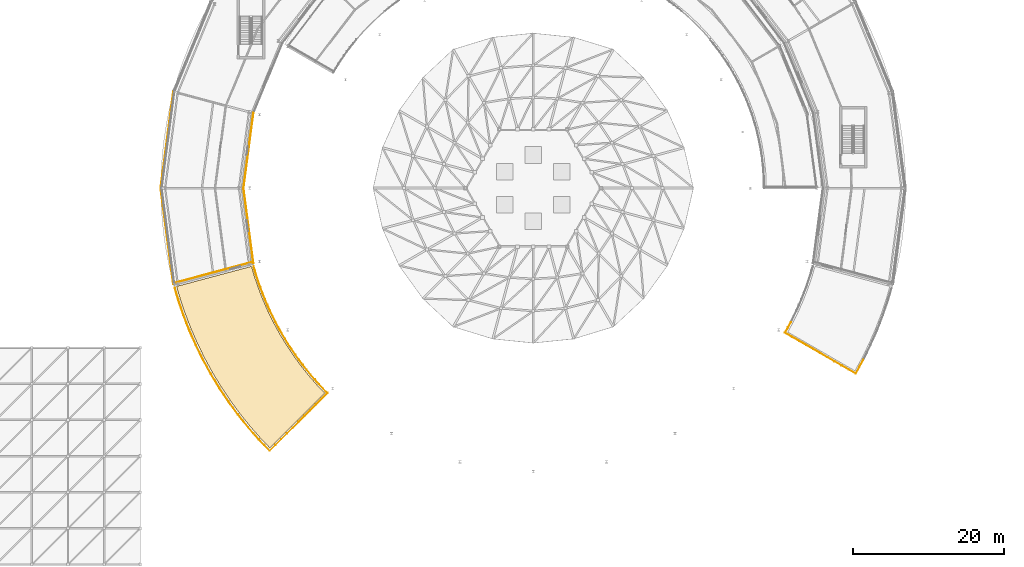
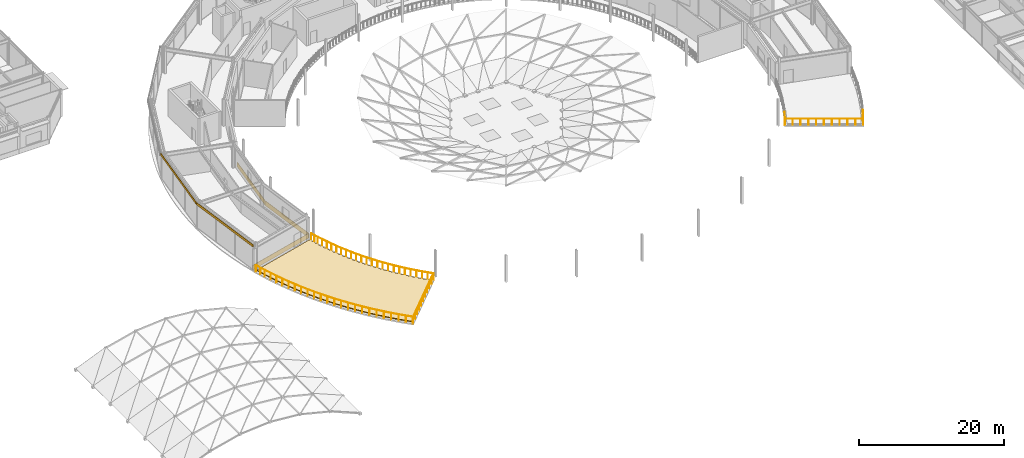
# One storey, part 100 of 116: 28 railings, 6 coverings.
"""IFC4 building model written with IfcOpenShell, lengths in metres."""

import ifcopenshell
import ifcopenshell.guid

model = None  # the IFC model being written
_history = None  # IfcOwnerHistory: only IFC2X3 demands one
_inside = {}  # id of a spatial element -> (the spatial element, [elements in it])
_under = {}  # id of a project, library or spatial element -> (it, [spatial elements below it])
_declared = {}  # id of a project -> (the project, [libraries it declares])
_typed = {}  # id of a type object -> (the type object, [elements of that type])
_made_of = {}  # id of a material, layer set ... -> (it, [elements and type objects made of it])


def new_model(schema):
    """Start an empty IFC model of exactly this schema.

    Asked for "IFC4X3", IfcOpenShell would pick the latest addendum, in which some entities
    have other attributes; the version numbers below select the first issue.
    IFC2X3 requires an IfcOwnerHistory on every rooted entity: one is made here for all.
    """
    global model, _history
    if schema == "IFC4X3":
        model = ifcopenshell.file(schema_version=(4, 3, 0, 0))
    else:
        model = ifcopenshell.file(schema=schema)
    _inside.clear()
    _under.clear()
    _declared.clear()
    _typed.clear()
    _made_of.clear()
    _history = None
    if model.schema == "IFC2X3":
        org = make("IfcOrganization", Name="unknown")
        user = make(
            "IfcPersonAndOrganization",
            ThePerson=make("IfcPerson", FamilyName="unknown"),
            TheOrganization=org,
        )
        app = make(
            "IfcApplication",
            ApplicationDeveloper=org,
            Version="unknown",
            ApplicationFullName="unknown",
            ApplicationIdentifier="unknown",
        )
        _history = make(
            "IfcOwnerHistory",
            OwningUser=user,
            OwningApplication=app,
            ChangeAction="ADDED",
            CreationDate=0,
        )
    return model


def make(cls, **values):
    """One entity of the class cls with the attributes given. An attribute that is None is left unset."""
    return model.create_entity(
        cls, **{name: value for name, value in values.items() if value is not None}
    )


def rooted(cls, **values):
    """An entity with a GlobalId (a new one), such as an element, a storey or a relation."""
    return make(cls, GlobalId=ifcopenshell.guid.new(), OwnerHistory=_history, **values)


def si_unit(unit_type, name, prefix=None):
    """IfcSIUnit, for example si_unit("LENGTHUNIT", "METRE", prefix="MILLI")."""
    return make("IfcSIUnit", UnitType=unit_type, Prefix=prefix, Name=name)


def assignment(units):
    """IfcUnitAssignment: the units of a project."""
    return None if units is None else make("IfcUnitAssignment", Units=units)


def point(xyz):
    """IfcCartesianPoint."""
    return None if xyz is None else make("IfcCartesianPoint", Coordinates=xyz)


def direction(xyz):
    """IfcDirection."""
    return None if xyz is None else make("IfcDirection", DirectionRatios=xyz)


def frame(location, z_axis=None, x_axis=None):
    """IfcAxis2Placement3D, a coordinate frame: its origin and axes. An axis left out is left unset."""
    return make(
        "IfcAxis2Placement3D",
        Location=point(location),
        Axis=direction(z_axis),
        RefDirection=direction(x_axis),
    )


def frame_2d(location, x_axis=None):
    """IfcAxis2Placement2D, a coordinate frame in the plane: its origin and x axis."""
    return make(
        "IfcAxis2Placement2D", Location=point(location), RefDirection=direction(x_axis)
    )


def origin():
    """The frame at (0, 0, 0) with its axes left unset."""
    return frame((0.0, 0.0, 0.0))


def origin_2d():
    """The frame at (0, 0) in the plane with its x axis left unset."""
    return frame_2d((0.0, 0.0))


def place(relative_to, where):
    """IfcLocalPlacement: puts the frame where relative to a parent placement (None: the world)."""
    return make(
        "IfcLocalPlacement", PlacementRelTo=relative_to, RelativePlacement=where
    )


def context(
    kind, dimensions, precision=None, world=None, true_north=None, identifier=None
):
    """IfcGeometricRepresentationContext, for example the 3D "Model" context."""
    return make(
        "IfcGeometricRepresentationContext",
        ContextIdentifier=identifier,
        ContextType=kind,
        CoordinateSpaceDimension=dimensions,
        Precision=precision,
        WorldCoordinateSystem=world,
        TrueNorth=true_north,
    )


def subcontext(parent, identifier, kind, view, scale=None):
    """IfcGeometricRepresentationSubContext, for example "Body" below "Model"."""
    return make(
        "IfcGeometricRepresentationSubContext",
        ContextIdentifier=identifier,
        ContextType=kind,
        ParentContext=parent,
        TargetScale=scale,
        TargetView=view,
    )


def project(units=None, contexts=None):
    """IfcProject with its units and contexts."""
    return rooted(
        "IfcProject",
        Name="project",
        RepresentationContexts=contexts,
        UnitsInContext=assignment(units),
    )


def spatial(cls, under=None, at=None, **own):
    """A site, building, storey or space (cls), placed at a placement, below another one or the project."""
    s = rooted(cls, ObjectPlacement=at, **own)
    if under is not None:
        _under.setdefault(under.id(), (under, []))[1].append(s)
    return s


def polyline(points):
    """IfcPolyline through the points."""
    return make("IfcPolyline", Points=[point(p) for p in points])


def profile(cls, at=None, kind="AREA", **sizes):
    """A parametric profile (cls). Its sizes go by their IFC names, for example OverallWidth=200.0."""
    return make(cls, ProfileType=kind, Position=at, **sizes)


def rectangle(**sizes):
    """IfcRectangleProfileDef."""
    return profile("IfcRectangleProfileDef", **sizes)


def circle(**sizes):
    """IfcCircleProfileDef."""
    return profile("IfcCircleProfileDef", **sizes)


def outline(outer, holes=None, kind="AREA"):
    """IfcArbitraryClosedProfileDef: a profile drawn as a closed curve; with holes, ...WithVoids."""
    if holes is None:
        return make("IfcArbitraryClosedProfileDef", ProfileType=kind, OuterCurve=outer)
    return make(
        "IfcArbitraryProfileDefWithVoids",
        ProfileType=kind,
        OuterCurve=outer,
        InnerCurves=holes,
    )


def extrude(swept, where, along, depth):
    """IfcExtrudedAreaSolid: the profile swept, set in the frame where, extruded along a direction by depth."""
    return make(
        "IfcExtrudedAreaSolid",
        SweptArea=swept,
        Position=where,
        ExtrudedDirection=direction(along),
        Depth=depth,
    )


def shape(context_of_items, identifier, shape_type, items):
    """IfcShapeRepresentation: the items that make up one representation, for example the "Body"."""
    return make(
        "IfcShapeRepresentation",
        ContextOfItems=context_of_items,
        RepresentationIdentifier=identifier,
        RepresentationType=shape_type,
        Items=items,
    )


def material(Name=None, Category=None):
    """IfcMaterial."""
    return make("IfcMaterial", Name=Name, Category=Category)


def layer(
    of_material, thickness, ventilated=None, Name=None, Category=None, Priority=None
):
    """IfcMaterialLayer: one layer of a wall or slab, of a material (None: an air gap)."""
    return make(
        "IfcMaterialLayer",
        Material=of_material,
        LayerThickness=thickness,
        IsVentilated=ventilated,
        Name=Name,
        Category=Category,
        Priority=Priority,
    )


def layer_set(layers, Name=None):
    """IfcMaterialLayerSet."""
    return make("IfcMaterialLayerSet", MaterialLayers=layers, LayerSetName=Name)


def made_of(thing, what):
    """Note that an element or type object is made of a material, layer set ...; save() writes the relation."""
    if what is not None:
        _made_of.setdefault(what.id(), (what, []))[1].append(thing)
    return thing


def type_object(cls, material=None, **own):
    """A type object (cls), such as IfcWallType, which elements share."""
    return made_of(rooted(cls, **own), material)


def element(
    cls,
    number,
    at=None,
    inside=None,
    cuts=None,
    type_object=None,
    material=None,
    context=None,
    identifier="Body",
    shape_type=None,
    held_by="IfcProductDefinitionShape",
    body=None,
    shapes=None,
    **own,
):
    """One element of the class cls, such as IfcWall. Its Tag is "e" and its number.

    at: its placement. inside: the storey or other place that contains it. cuts: it is an
    opening in that element (IfcRelVoidsElement). A single representation is given by context,
    identifier, shape_type and body (its items); several are given by shapes. held_by: the class
    of the entity that holds the representations. save() writes the other relations.
    """
    e = rooted(cls, Tag="e%d" % number, ObjectPlacement=at, **own)
    if body is not None:
        shapes = [shape(context, identifier, shape_type, body)]
    if shapes is not None:
        e.Representation = make(held_by, Representations=shapes)
    if inside is not None:
        _inside.setdefault(inside.id(), (inside, []))[1].append(e)
    if cuts is not None:
        rooted(
            "IfcRelVoidsElement", RelatingBuildingElement=cuts, RelatedOpeningElement=e
        )
    if type_object is not None:
        _typed.setdefault(type_object.id(), (type_object, []))[1].append(e)
    return made_of(e, material)


def aggregate(whole, parts):
    """IfcRelAggregates: a whole, such as a stair, and the parts it consists of."""
    return rooted("IfcRelAggregates", RelatingObject=whole, RelatedObjects=parts)


def save(model, path):
    """Write the relations noted so far, then the file.

    IfcRelAggregates (storeys below a building ...), IfcRelContainedInSpatialStructure (elements
    in a storey), IfcRelDefinesByType, IfcRelAssociatesMaterial and IfcRelDeclares: one each for
    every whole, place, type object, material and project.
    """
    for whole, parts in _under.values():
        aggregate(whole, parts)
    for where, things in _inside.values():
        rooted(
            "IfcRelContainedInSpatialStructure",
            RelatedElements=things,
            RelatingStructure=where,
        )
    for kind, things in _typed.values():
        rooted("IfcRelDefinesByType", RelatedObjects=things, RelatingType=kind)
    for what, things in _made_of.values():
        rooted("IfcRelAssociatesMaterial", RelatedObjects=things, RelatingMaterial=what)
    for by, libraries in _declared.values():
        rooted("IfcRelDeclares", RelatingContext=by, RelatedDefinitions=libraries)
    model.write(path)


model = new_model("IFC4")

# Units and contexts
model_context = context("Model", 3, precision=1e-05, world=origin(), true_north=direction((0.0, 1.0)))
body_context = subcontext(model_context, "Body", "Model", "MODEL_VIEW")
ifc_project = project(units=[si_unit("LENGTHUNIT", "METRE"), si_unit("AREAUNIT", "SQUARE_METRE"), si_unit("VOLUMEUNIT", "CUBIC_METRE"), si_unit("PLANEANGLEUNIT", "RADIAN"), si_unit("MASSUNIT", "GRAM", prefix="KILO")], contexts=[model_context])

# Site, building, storey
site_placement = place(None, origin())
site = spatial("IfcSite", under=ifc_project, at=site_placement, CompositionType="ELEMENT")
building_placement = place(site_placement, origin())
building = spatial("IfcBuilding", under=site, at=building_placement, Name="Almandine Court Research Institute", CompositionType="ELEMENT")
storey_placement = place(building_placement, frame((0.0, 0.0, 14.35009765625)))
storey = spatial("IfcBuildingStorey", under=building, at=storey_placement, Name="L03", CompositionType="ELEMENT", Elevation=14.35009765625)

# Coverings
ifc_material_1 = material(Name="Extruded Cream-Ochre Seismic Terracotta Spandrel", Category="masonry")
ifc_layer_1 = layer(ifc_material_1, 0.054931640625)
ifc_layer_set_1 = layer_set([ifc_layer_1], Name="Extruded Cream-Ochre Seismic Terracotta Spandrel")
covering_type_1 = type_object("IfcCoveringType", Name="Cov-CLAD-TERR", PredefinedType="CLADDING", material=ifc_layer_set_1)
covering_1_placement = place(storey_placement, frame((38.361083984375, 62.404052734375, 3.97998046875), z_axis=(0.0, 0.0, 1.0), x_axis=(0.13052619222, 0.991444861374, 0.0)))
element("IfcCovering", 1, at=covering_1_placement, inside=storey, type_object=covering_type_1, Name="L03 Drum Stacked Terracotta Ring Band 11", PredefinedType="CLADDING", context=body_context, shape_type="SweptSolid", body=[
    extrude(rectangle(XDim=12.8779296875, YDim=0.054931640625, at=origin_2d()), origin(), (0.0, 0.0, 1.0), 0.419921875),
])
covering_2_placement = place(storey_placement, frame((49.16796875, 60.98095703125, 0.02001953125), z_axis=(0.0, 0.0, 1.0), x_axis=(-0.13052619222, -0.991444861374, 0.0)))
element("IfcCovering", 2, at=covering_2_placement, inside=storey, type_object=covering_type_1, Name="L03 Facade Spandrel Cladding Band 397", PredefinedType="CLADDING", context=body_context, shape_type="SweptSolid", body=[
    extrude(rectangle(XDim=10.080078125, YDim=0.054931640625, at=origin_2d()), origin(), (0.0, 0.0, 1.0), 0.800048828125),
])
covering_3_placement = place(storey_placement, frame((38.361083984375, 49.595947265625, 3.97998046875), z_axis=(0.0, 0.0, 1.0), x_axis=(-0.13052619222, 0.991444861374, 0.0)))
element("IfcCovering", 3, at=covering_3_placement, inside=storey, type_object=covering_type_1, Name="L03 Drum Stacked Terracotta Ring Band 12", PredefinedType="CLADDING", context=body_context, shape_type="SweptSolid", body=[
    extrude(rectangle(XDim=12.8779296875, YDim=0.054931640625, at=origin_2d()), origin(), (0.0, 0.0, 1.0), 0.419921875),
])
covering_4_placement = place(storey_placement, frame((49.16796875, 51.01904296875, 0.02001953125), z_axis=(0.0, 0.0, 1.0), x_axis=(0.13052619222, -0.991444861374, 0.0)))
element("IfcCovering", 4, at=covering_4_placement, inside=storey, type_object=covering_type_1, Name="L03 Facade Spandrel Cladding Band 399", PredefinedType="CLADDING", context=body_context, shape_type="SweptSolid", body=[
    extrude(rectangle(XDim=10.080078125, YDim=0.054931640625, at=origin_2d()), origin(), (0.0, 0.0, 1.0), 0.800048828125),
])
covering_5_placement = place(storey_placement, frame((44.455078125, 44.777099609375, 0.02001953125), z_axis=(0.0, 0.0, 1.0), x_axis=(0.965925826289, 0.258819045103, 0.0)))
element("IfcCovering", 5, at=covering_5_placement, inside=storey, type_object=covering_type_1, Name="L03 Facade Spandrel Cladding Band 401", PredefinedType="CLADDING", context=body_context, shape_type="SweptSolid", body=[
    extrude(rectangle(XDim=10.951904296875, YDim=0.054931640625, at=origin_2d()), origin(), (0.0, 0.0, 1.0), 0.800048828125),
])
ifc_material_2 = material(Name="Extensive Andean Sedum Planted Green Roof Build-Up")
ifc_layer_2 = layer(ifc_material_2, 0.139892578125)
ifc_layer_set_2 = layer_set([ifc_layer_2], Name="Extensive Andean Sedum Planted Green Roof Build-Up")
covering_type_2 = type_object("IfcCoveringType", Name="Cov-ROOF-GREEN", PredefinedType="ROOFING", material=ifc_layer_set_2)
covering_6_placement = place(storey_placement, origin())
element("IfcCovering", 6, at=covering_6_placement, inside=storey, type_object=covering_type_2, Name="L03 Planted Green Roof Covering 15", PredefinedType="ROOFING", context=body_context, shape_type="SweptSolid", body=[
    extrude(outline(polyline([(39.623046875, 42.943115234375), (49.572021484375, 45.60791015625), (49.947998046875, 44.318115234375), (50.492919921875, 42.7119140625), (51.10791015625, 41.133056640625), (51.7900390625, 39.5810546875), (52.5390625, 38.06103515625), (53.35498046875, 36.574951171875), (54.23388671875, 35.1259765625), (55.176025390625, 33.716064453125), (56.177978515625, 32.35009765625), (57.239013671875, 31.028076171875), (58.35693359375, 29.75390625), (59.285888671875, 28.781005859375), (52.0029296875, 21.498046875), (50.762939453125, 22.7939453125), (49.34912109375, 24.406982421875), (48.007080078125, 26.0791015625), (46.739013671875, 27.80908203125), (45.547119140625, 29.592041015625), (44.43505859375, 31.425048828125), (43.404052734375, 33.304931640625), (42.455078125, 35.22802734375), (41.591064453125, 37.19091796875), (40.81396484375, 39.18994140625), (40.125, 41.219970703125), (39.623046875, 42.943115234375)])), origin(), (0.0, 0.0, 1.0), 0.139892578125),
])

# Railings
ifc_material_3 = material(Name="Architectural Powder-Coated Aluminium Balustrade", Category="aluminium")
railing_type = type_object("IfcRailingType", Name="Rail-BAL-EXT", PredefinedType="BALUSTRADE", material=ifc_material_3)
railing_1_placement = place(storey_placement, frame((129.8369140625, 31.360107421875, 0.0)))
element("IfcRailing", 7, at=railing_1_placement, inside=storey, type_object=railing_type, Name="L03 Terrace Perimeter Balustrade 076", PredefinedType="BALUSTRADE", context=body_context, shape_type="SweptSolid", body=[
    extrude(circle(Radius=0.02392578125, at=origin_2d()), frame((0.0, 0.0, 1.1259765625), z_axis=(-0.866011168903, 0.500024654728, 0.0), x_axis=(-0.500024654728, -0.866011168903, 0.0)), (0.0, 0.0, 1.0), 10.83935546875),
    extrude(circle(Radius=0.02099609375, at=origin_2d()), origin(), (0.0, 0.0, 1.0), 1.101806640625),
    extrude(circle(Radius=0.02099609375, at=origin_2d()), frame((-0.938720703125, 0.5419921875, 0.0)), (0.0, 0.0, 1.0), 1.101806640625),
    extrude(circle(Radius=0.02099609375, at=origin_2d()), frame((-1.87744140625, 1.083984375, 0.0)), (0.0, 0.0, 1.0), 1.101806640625),
    extrude(circle(Radius=0.02099609375, at=origin_2d()), frame((-2.816162109375, 1.6259765625, 0.0)), (0.0, 0.0, 1.0), 1.101806640625),
    extrude(circle(Radius=0.02099609375, at=origin_2d()), frame((-3.7548828125, 2.16796875, 0.0)), (0.0, 0.0, 1.0), 1.101806640625),
    extrude(circle(Radius=0.02099609375, at=origin_2d()), frame((-4.693359375, 2.7099609375, 0.0)), (0.0, 0.0, 1.0), 1.101806640625),
    extrude(circle(Radius=0.02099609375, at=origin_2d()), frame((-5.632080078125, 3.251953125, 0.0)), (0.0, 0.0, 1.0), 1.101806640625),
    extrude(circle(Radius=0.02099609375, at=origin_2d()), frame((-6.57080078125, 3.7939453125, 0.0)), (0.0, 0.0, 1.0), 1.101806640625),
    extrude(circle(Radius=0.02099609375, at=origin_2d()), frame((-7.509521484375, 4.3359375, 0.0)), (0.0, 0.0, 1.0), 1.101806640625),
    extrude(circle(Radius=0.02099609375, at=origin_2d()), frame((-8.4482421875, 4.8779296875, 0.0)), (0.0, 0.0, 1.0), 1.101806640625),
    extrude(circle(Radius=0.02099609375, at=origin_2d()), frame((-9.386962890625, 5.419921875, 0.0)), (0.0, 0.0, 1.0), 1.101806640625),
])
railing_2_placement = place(storey_placement, frame((120.449951171875, 36.780029296875, 0.0)))
element("IfcRailing", 8, at=railing_2_placement, inside=storey, type_object=railing_type, Name="L03 Terrace Perimeter Balustrade 077", PredefinedType="BALUSTRADE", context=body_context, shape_type="SweptSolid", body=[
    extrude(circle(Radius=0.02392578125, at=origin_2d()), frame((0.0, 0.0, 1.1259765625), z_axis=(0.480813731772, 0.876822761645, 0.0), x_axis=(-0.876822761645, 0.480813731772, 0.0)), (0.0, 0.0, 1.0), 1.603515625),
    extrude(circle(Radius=0.02099609375, at=origin_2d()), origin(), (0.0, 0.0, 1.0), 1.101806640625),
    extrude(circle(Radius=0.02099609375, at=origin_2d()), frame((0.385498046875, 0.703125, 0.0)), (0.0, 0.0, 1.0), 1.101806640625),
    extrude(circle(Radius=0.02099609375, at=origin_2d()), frame((0.77099609375, 1.406005859375, 0.0)), (0.0, 0.0, 1.0), 1.101806640625),
])
railing_3_placement = place(storey_placement, frame((130.8359375, 33.179931640625, 0.0)))
element("IfcRailing", 9, at=railing_3_placement, inside=storey, type_object=railing_type, Name="L03 Terrace Perimeter Balustrade 088", PredefinedType="BALUSTRADE", context=body_context, shape_type="SweptSolid", body=[
    extrude(circle(Radius=0.02392578125, at=origin_2d()), frame((0.0, 0.0, 1.1259765625), z_axis=(-0.481223375155, -0.876598005476, 0.0), x_axis=(0.876598005476, -0.481223375155, 0.0)), (0.0, 0.0, 1.0), 2.075927734375),
    extrude(circle(Radius=0.02099609375, at=origin_2d()), origin(), (0.0, 0.0, 1.0), 1.101806640625),
    extrude(circle(Radius=0.02099609375, at=origin_2d()), frame((-0.49951171875, -0.909912109375, 0.0)), (0.0, 0.0, 1.0), 1.101806640625),
    extrude(circle(Radius=0.02099609375, at=origin_2d()), frame((-0.9990234375, -1.81982421875, 0.0)), (0.0, 0.0, 1.0), 1.101806640625),
])
railing_4_placement = place(storey_placement, frame((49.861083984375, 45.58203125, 0.0)))
element("IfcRailing", 10, at=railing_4_placement, inside=storey, type_object=railing_type, Name="L03 Terrace Perimeter Balustrade 089", PredefinedType="BALUSTRADE", context=body_context, shape_type="SweptSolid", body=[
    extrude(circle(Radius=0.02392578125, at=origin_2d()), frame((0.0, 0.0, 1.1259765625), z_axis=(0.279923926377, -0.96002218487, 0.0), x_axis=(0.96002218487, 0.279923926377, 0.0)), (0.0, 0.0, 1.0), 1.232421875),
    extrude(circle(Radius=0.02099609375, at=origin_2d()), origin(), (0.0, 0.0, 1.0), 1.101806640625),
    extrude(circle(Radius=0.02099609375, at=origin_2d()), frame((0.17236328125, -0.591552734375, 0.0)), (0.0, 0.0, 1.0), 1.101806640625),
    extrude(circle(Radius=0.02099609375, at=origin_2d()), frame((0.344970703125, -1.18310546875, 0.0)), (0.0, 0.0, 1.0), 1.101806640625),
])
railing_5_placement = place(storey_placement, frame((50.2060546875, 44.39892578125, 0.0)))
element("IfcRailing", 11, at=railing_5_placement, inside=storey, type_object=railing_type, Name="L03 Terrace Perimeter Balustrade 090", PredefinedType="BALUSTRADE", context=body_context, shape_type="SweptSolid", body=[
    extrude(circle(Radius=0.02392578125, at=origin_2d()), frame((0.0, 0.0, 1.1259765625), z_axis=(0.32140085865, -0.94694323381, 0.0), x_axis=(0.94694323381, 0.32140085865, 0.0)), (0.0, 0.0, 1.0), 1.683349609375),
    extrude(circle(Radius=0.02099609375, at=origin_2d()), origin(), (0.0, 0.0, 1.0), 1.101806640625),
    extrude(circle(Radius=0.02099609375, at=origin_2d()), frame((0.2705078125, -0.796875, 0.0)), (0.0, 0.0, 1.0), 1.101806640625),
    extrude(circle(Radius=0.02099609375, at=origin_2d()), frame((0.541015625, -1.593994140625, 0.0)), (0.0, 0.0, 1.0), 1.101806640625),
])
railing_6_placement = place(storey_placement, frame((50.7470703125, 42.804931640625, 0.0)))
element("IfcRailing", 12, at=railing_6_placement, inside=storey, type_object=railing_type, Name="L03 Terrace Perimeter Balustrade 091", PredefinedType="BALUSTRADE", context=body_context, shape_type="SweptSolid", body=[
    extrude(circle(Radius=0.02392578125, at=origin_2d()), frame((0.0, 0.0, 1.1259765625), z_axis=(0.362320267757, -0.93205365917, 0.0), x_axis=(0.93205365917, 0.362320267757, 0.0)), (0.0, 0.0, 1.0), 1.68310546875),
    extrude(circle(Radius=0.02099609375, at=origin_2d()), origin(), (0.0, 0.0, 1.0), 1.101806640625),
    extrude(circle(Radius=0.02099609375, at=origin_2d()), frame((0.304931640625, -0.784423828125, 0.0)), (0.0, 0.0, 1.0), 1.101806640625),
    extrude(circle(Radius=0.02099609375, at=origin_2d()), frame((0.60986328125, -1.56884765625, 0.0)), (0.0, 0.0, 1.0), 1.101806640625),
])
railing_7_placement = place(storey_placement, frame((51.35693359375, 41.236083984375, 0.0)))
element("IfcRailing", 13, at=railing_7_placement, inside=storey, type_object=railing_type, Name="L03 Terrace Perimeter Balustrade 092", PredefinedType="BALUSTRADE", context=body_context, shape_type="SweptSolid", body=[
    extrude(circle(Radius=0.02392578125, at=origin_2d()), frame((0.0, 0.0, 1.1259765625), z_axis=(0.402218437019, -0.91554373403, 0.0), x_axis=(0.91554373403, 0.402218437019, 0.0)), (0.0, 0.0, 1.0), 1.68310546875),
    extrude(circle(Radius=0.02099609375, at=origin_2d()), origin(), (0.0, 0.0, 1.0), 1.101806640625),
    extrude(circle(Radius=0.02099609375, at=origin_2d()), frame((0.33837890625, -0.7705078125, 0.0)), (0.0, 0.0, 1.0), 1.101806640625),
    extrude(circle(Radius=0.02099609375, at=origin_2d()), frame((0.677001953125, -1.541015625, 0.0)), (0.0, 0.0, 1.0), 1.101806640625),
])
railing_8_placement = place(storey_placement, frame((52.033935546875, 39.695068359375, 0.0)))
element("IfcRailing", 14, at=railing_8_placement, inside=storey, type_object=railing_type, Name="L03 Terrace Perimeter Balustrade 093", PredefinedType="BALUSTRADE", context=body_context, shape_type="SweptSolid", body=[
    extrude(circle(Radius=0.02392578125, at=origin_2d()), frame((0.0, 0.0, 1.1259765625), z_axis=(0.442739997264, -0.89665004033, 0.0), x_axis=(0.89665004033, 0.442739997264, 0.0)), (0.0, 0.0, 1.0), 1.682861328125),
    extrude(circle(Radius=0.02099609375, at=origin_2d()), origin(), (0.0, 0.0, 1.0), 1.101806640625),
    extrude(circle(Radius=0.02099609375, at=origin_2d()), frame((0.37255859375, -0.75439453125, 0.0)), (0.0, 0.0, 1.0), 1.101806640625),
    extrude(circle(Radius=0.02099609375, at=origin_2d()), frame((0.7451171875, -1.509033203125, 0.0)), (0.0, 0.0, 1.0), 1.101806640625),
])
railing_9_placement = place(storey_placement, frame((52.779052734375, 38.18603515625, 0.0)))
element("IfcRailing", 15, at=railing_9_placement, inside=storey, type_object=railing_type, Name="L03 Terrace Perimeter Balustrade 094", PredefinedType="BALUSTRADE", context=body_context, shape_type="SweptSolid", body=[
    extrude(circle(Radius=0.02392578125, at=origin_2d()), frame((0.0, 0.0, 1.1259765625), z_axis=(0.481105881511, -0.876662495363, 0.0), x_axis=(0.876662495363, 0.481105881511, 0.0)), (0.0, 0.0, 1.0), 1.683837890625),
    extrude(circle(Radius=0.02099609375, at=origin_2d()), origin(), (0.0, 0.0, 1.0), 1.101806640625),
    extrude(circle(Radius=0.02099609375, at=origin_2d()), frame((0.405029296875, -0.738037109375, 0.0)), (0.0, 0.0, 1.0), 1.101806640625),
    extrude(circle(Radius=0.02099609375, at=origin_2d()), frame((0.81005859375, -1.47607421875, 0.0)), (0.0, 0.0, 1.0), 1.101806640625),
])
railing_10_placement = place(storey_placement, frame((53.589111328125, 36.7099609375, 0.0)))
element("IfcRailing", 16, at=railing_10_placement, inside=storey, type_object=railing_type, Name="L03 Terrace Perimeter Balustrade 095", PredefinedType="BALUSTRADE", context=body_context, shape_type="SweptSolid", body=[
    extrude(circle(Radius=0.02392578125, at=origin_2d()), frame((0.0, 0.0, 1.1259765625), z_axis=(0.51860710852, -0.855012670662, 0.0), x_axis=(0.855012670662, 0.51860710852, 0.0)), (0.0, 0.0, 1.0), 1.682861328125),
    extrude(circle(Radius=0.02099609375, at=origin_2d()), origin(), (0.0, 0.0, 1.0), 1.101806640625),
    extrude(circle(Radius=0.02099609375, at=origin_2d()), frame((0.4365234375, -0.719482421875, 0.0)), (0.0, 0.0, 1.0), 1.101806640625),
    extrude(circle(Radius=0.02099609375, at=origin_2d()), frame((0.872802734375, -1.43896484375, 0.0)), (0.0, 0.0, 1.0), 1.101806640625),
])
railing_11_placement = place(storey_placement, frame((54.4619140625, 35.27099609375, 0.0)))
element("IfcRailing", 17, at=railing_11_placement, inside=storey, type_object=railing_type, Name="L03 Terrace Perimeter Balustrade 096", PredefinedType="BALUSTRADE", context=body_context, shape_type="SweptSolid", body=[
    extrude(circle(Radius=0.02392578125, at=origin_2d()), frame((0.0, 0.0, 1.1259765625), z_axis=(0.555436247227, -0.831559123133, 0.0), x_axis=(0.831559123133, 0.555436247227, 0.0)), (0.0, 0.0, 1.0), 1.683349609375),
    extrude(circle(Radius=0.02099609375, at=origin_2d()), origin(), (0.0, 0.0, 1.0), 1.101806640625),
    extrude(circle(Radius=0.02099609375, at=origin_2d()), frame((0.467529296875, -0.699951171875, 0.0)), (0.0, 0.0, 1.0), 1.101806640625),
    extrude(circle(Radius=0.02099609375, at=origin_2d()), frame((0.93505859375, -1.39990234375, 0.0)), (0.0, 0.0, 1.0), 1.101806640625),
])
railing_12_placement = place(storey_placement, frame((55.39697265625, 33.87109375, 0.0)))
element("IfcRailing", 18, at=railing_12_placement, inside=storey, type_object=railing_type, Name="L03 Terrace Perimeter Balustrade 097", PredefinedType="BALUSTRADE", context=body_context, shape_type="SweptSolid", body=[
    extrude(circle(Radius=0.02392578125, at=origin_2d()), frame((0.0, 0.0, 1.1259765625), z_axis=(0.591684255025, -0.806169797472, 0.0), x_axis=(0.806169797472, 0.591684255025, 0.0)), (0.0, 0.0, 1.0), 1.68359375),
    extrude(circle(Radius=0.02099609375, at=origin_2d()), origin(), (0.0, 0.0, 1.0), 1.101806640625),
    extrude(circle(Radius=0.02099609375, at=origin_2d()), frame((0.498046875, -0.6787109375, 0.0)), (0.0, 0.0, 1.0), 1.101806640625),
    extrude(circle(Radius=0.02099609375, at=origin_2d()), frame((0.99609375, -1.357177734375, 0.0)), (0.0, 0.0, 1.0), 1.101806640625),
])
railing_13_placement = place(storey_placement, frame((56.39306640625, 32.513916015625, 0.0)))
element("IfcRailing", 19, at=railing_13_placement, inside=storey, type_object=railing_type, Name="L03 Terrace Perimeter Balustrade 098", PredefinedType="BALUSTRADE", context=body_context, shape_type="SweptSolid", body=[
    extrude(circle(Radius=0.02392578125, at=origin_2d()), frame((0.0, 0.0, 1.1259765625), z_axis=(0.625915440512, -0.779890929123, 0.0), x_axis=(0.779890929123, 0.625915440512, 0.0)), (0.0, 0.0, 1.0), 1.682373046875),
    extrude(circle(Radius=0.02099609375, at=origin_2d()), origin(), (0.0, 0.0, 1.0), 1.101806640625),
    extrude(circle(Radius=0.02099609375, at=origin_2d()), frame((0.5263671875, -0.656005859375, 0.0)), (0.0, 0.0, 1.0), 1.101806640625),
    extrude(circle(Radius=0.02099609375, at=origin_2d()), frame((1.052978515625, -1.31201171875, 0.0)), (0.0, 0.0, 1.0), 1.101806640625),
])
railing_14_placement = place(storey_placement, frame((57.446044921875, 31.201904296875, 0.0)))
element("IfcRailing", 20, at=railing_14_placement, inside=storey, type_object=railing_type, Name="L03 Terrace Perimeter Balustrade 099", PredefinedType="BALUSTRADE", context=body_context, shape_type="SweptSolid", body=[
    extrude(circle(Radius=0.02392578125, at=origin_2d()), frame((0.0, 0.0, 1.1259765625), z_axis=(0.659253757074, -0.751920530231, 0.0), x_axis=(0.751920530231, 0.659253757074, 0.0)), (0.0, 0.0, 1.0), 1.68359375),
    extrude(circle(Radius=0.02099609375, at=origin_2d()), origin(), (0.0, 0.0, 1.0), 1.101806640625),
    extrude(circle(Radius=0.02099609375, at=origin_2d()), frame((0.554931640625, -0.6328125, 0.0)), (0.0, 0.0, 1.0), 1.101806640625),
    extrude(circle(Radius=0.02099609375, at=origin_2d()), frame((1.10986328125, -1.265869140625, 0.0)), (0.0, 0.0, 1.0), 1.101806640625),
])
railing_15_placement = place(storey_placement, frame((58.555908203125, 29.93603515625, 0.0)))
element("IfcRailing", 21, at=railing_15_placement, inside=storey, type_object=railing_type, Name="L03 Terrace Perimeter Balustrade 100", PredefinedType="BALUSTRADE", context=body_context, shape_type="SweptSolid", body=[
    extrude(circle(Radius=0.02392578125, at=origin_2d()), frame((0.0, 0.0, 1.1259765625), z_axis=(0.691094727198, -0.722764192555, 0.0), x_axis=(0.722764192555, 0.691094727198, 0.0)), (0.0, 0.0, 1.0), 1.603515625),
    extrude(circle(Radius=0.02099609375, at=origin_2d()), origin(), (0.0, 0.0, 1.0), 1.101806640625),
    extrude(circle(Radius=0.02099609375, at=origin_2d()), frame((0.55419921875, -0.57958984375, 0.0)), (0.0, 0.0, 1.0), 1.101806640625),
    extrude(circle(Radius=0.02099609375, at=origin_2d()), frame((1.108154296875, -1.158935546875, 0.0)), (0.0, 0.0, 1.0), 1.101806640625),
])
railing_16_placement = place(storey_placement, frame((59.6640625, 28.777099609375, 0.0)))
element("IfcRailing", 22, at=railing_16_placement, inside=storey, type_object=railing_type, Name="L03 Terrace Perimeter Balustrade 101", PredefinedType="BALUSTRADE", context=body_context, shape_type="SweptSolid", body=[
    extrude(circle(Radius=0.02392578125, at=origin_2d()), frame((0.0, 0.0, 1.1259765625), z_axis=(-0.707106781187, -0.707106781187, 0.0), x_axis=(0.707106781187, -0.707106781187, 0.0)), (0.0, 0.0, 1.0), 10.840087890625),
    extrude(circle(Radius=0.02099609375, at=origin_2d()), origin(), (0.0, 0.0, 1.0), 1.101806640625),
    extrude(circle(Radius=0.02099609375, at=origin_2d()), frame((-0.7666015625, -0.7666015625, 0.0)), (0.0, 0.0, 1.0), 1.101806640625),
    extrude(circle(Radius=0.02099609375, at=origin_2d()), frame((-1.532958984375, -1.532958984375, 0.0)), (0.0, 0.0, 1.0), 1.101806640625),
    extrude(circle(Radius=0.02099609375, at=origin_2d()), frame((-2.299560546875, -2.299560546875, 0.0)), (0.0, 0.0, 1.0), 1.101806640625),
    extrude(circle(Radius=0.02099609375, at=origin_2d()), frame((-3.06591796875, -3.06591796875, 0.0)), (0.0, 0.0, 1.0), 1.101806640625),
    extrude(circle(Radius=0.02099609375, at=origin_2d()), frame((-3.83251953125, -3.83251953125, 0.0)), (0.0, 0.0, 1.0), 1.101806640625),
    extrude(circle(Radius=0.02099609375, at=origin_2d()), frame((-4.59912109375, -4.59912109375, 0.0)), (0.0, 0.0, 1.0), 1.101806640625),
    extrude(circle(Radius=0.02099609375, at=origin_2d()), frame((-5.365478515625, -5.365478515625, 0.0)), (0.0, 0.0, 1.0), 1.101806640625),
    extrude(circle(Radius=0.02099609375, at=origin_2d()), frame((-6.132080078125, -6.132080078125, 0.0)), (0.0, 0.0, 1.0), 1.101806640625),
    extrude(circle(Radius=0.02099609375, at=origin_2d()), frame((-6.8984375, -6.8984375, 0.0)), (0.0, 0.0, 1.0), 1.101806640625),
    extrude(circle(Radius=0.02099609375, at=origin_2d()), frame((-7.6650390625, -7.6650390625, 0.0)), (0.0, 0.0, 1.0), 1.101806640625),
])
railing_17_placement = place(storey_placement, frame((51.9990234375, 21.112060546875, 0.0)))
element("IfcRailing", 23, at=railing_17_placement, inside=storey, type_object=railing_type, Name="L03 Terrace Perimeter Balustrade 102", PredefinedType="BALUSTRADE", context=body_context, shape_type="SweptSolid", body=[
    extrude(circle(Radius=0.02392578125, at=origin_2d()), frame((0.0, 0.0, 1.1259765625), z_axis=(-0.691292069031, 0.722575446092, 0.0), x_axis=(-0.722575446092, -0.691292069031, 0.0)), (0.0, 0.0, 1.0), 2.075927734375),
    extrude(circle(Radius=0.02099609375, at=origin_2d()), origin(), (0.0, 0.0, 1.0), 1.101806640625),
    extrude(circle(Radius=0.02099609375, at=origin_2d()), frame((-0.717529296875, 0.75, 0.0)), (0.0, 0.0, 1.0), 1.101806640625),
    extrude(circle(Radius=0.02099609375, at=origin_2d()), frame((-1.43505859375, 1.5, 0.0)), (0.0, 0.0, 1.0), 1.101806640625),
])
railing_18_placement = place(storey_placement, frame((50.56396484375, 22.612060546875, 0.0)))
element("IfcRailing", 24, at=railing_18_placement, inside=storey, type_object=railing_type, Name="L03 Terrace Perimeter Balustrade 103", PredefinedType="BALUSTRADE", context=body_context, shape_type="SweptSolid", body=[
    extrude(circle(Radius=0.02392578125, at=origin_2d()), frame((0.0, 0.0, 1.1259765625), z_axis=(-0.659458025954, 0.751741386385, 0.0), x_axis=(-0.751741386385, -0.659458025954, 0.0)), (0.0, 0.0, 1.0), 2.156005859375),
    extrude(circle(Radius=0.02099609375, at=origin_2d()), origin(), (0.0, 0.0, 1.0), 1.101806640625),
    extrude(circle(Radius=0.02099609375, at=origin_2d()), frame((-0.7109375, 0.810546875, 0.0)), (0.0, 0.0, 1.0), 1.101806640625),
    extrude(circle(Radius=0.02099609375, at=origin_2d()), frame((-1.421875, 1.620849609375, 0.0)), (0.0, 0.0, 1.0), 1.101806640625),
])
railing_19_placement = place(storey_placement, frame((49.14208984375, 24.23291015625, 0.0)))
element("IfcRailing", 25, at=railing_19_placement, inside=storey, type_object=railing_type, Name="L03 Terrace Perimeter Balustrade 104", PredefinedType="BALUSTRADE", context=body_context, shape_type="SweptSolid", body=[
    extrude(circle(Radius=0.02392578125, at=origin_2d()), frame((0.0, 0.0, 1.1259765625), z_axis=(-0.625936578054, 0.779873964339, 0.0), x_axis=(-0.779873964339, -0.625936578054, 0.0)), (0.0, 0.0, 1.0), 2.156982421875),
    extrude(circle(Radius=0.02099609375, at=origin_2d()), origin(), (0.0, 0.0, 1.0), 1.101806640625),
    extrude(circle(Radius=0.02099609375, at=origin_2d()), frame((-0.675048828125, 0.841064453125, 0.0)), (0.0, 0.0, 1.0), 1.101806640625),
    extrude(circle(Radius=0.02099609375, at=origin_2d()), frame((-1.35009765625, 1.68212890625, 0.0)), (0.0, 0.0, 1.0), 1.101806640625),
])
railing_20_placement = place(storey_placement, frame((47.7919921875, 25.9150390625, 0.0)))
element("IfcRailing", 26, at=railing_20_placement, inside=storey, type_object=railing_type, Name="L03 Terrace Perimeter Balustrade 105", PredefinedType="BALUSTRADE", context=body_context, shape_type="SweptSolid", body=[
    extrude(circle(Radius=0.02392578125, at=origin_2d()), frame((0.0, 0.0, 1.1259765625), z_axis=(-0.590956072387, 0.806703737756, 0.0), x_axis=(-0.806703737756, -0.590956072387, 0.0)), (0.0, 0.0, 1.0), 2.15576171875),
    extrude(circle(Radius=0.02099609375, at=origin_2d()), origin(), (0.0, 0.0, 1.0), 1.101806640625),
    extrude(circle(Radius=0.02099609375, at=origin_2d()), frame((-0.636962890625, 0.86962890625, 0.0)), (0.0, 0.0, 1.0), 1.101806640625),
    extrude(circle(Radius=0.02099609375, at=origin_2d()), frame((-1.27392578125, 1.739013671875, 0.0)), (0.0, 0.0, 1.0), 1.101806640625),
])
railing_21_placement = place(storey_placement, frame((46.51806640625, 27.654052734375, 0.0)))
element("IfcRailing", 27, at=railing_21_placement, inside=storey, type_object=railing_type, Name="L03 Terrace Perimeter Balustrade 106", PredefinedType="BALUSTRADE", context=body_context, shape_type="SweptSolid", body=[
    extrude(circle(Radius=0.02392578125, at=origin_2d()), frame((0.0, 0.0, 1.1259765625), z_axis=(-0.555875075186, 0.831265842428, 0.0), x_axis=(-0.831265842428, -0.555875075186, 0.0)), (0.0, 0.0, 1.0), 2.156982421875),
    extrude(circle(Radius=0.02099609375, at=origin_2d()), origin(), (0.0, 0.0, 1.0), 1.101806640625),
    extrude(circle(Radius=0.02099609375, at=origin_2d()), frame((-0.599609375, 0.896484375, 0.0)), (0.0, 0.0, 1.0), 1.101806640625),
    extrude(circle(Radius=0.02099609375, at=origin_2d()), frame((-1.198974609375, 1.79296875, 0.0)), (0.0, 0.0, 1.0), 1.101806640625),
])
railing_22_placement = place(storey_placement, frame((45.319091796875, 29.447021484375, 0.0)))
element("IfcRailing", 28, at=railing_22_placement, inside=storey, type_object=railing_type, Name="L03 Terrace Perimeter Balustrade 107", PredefinedType="BALUSTRADE", context=body_context, shape_type="SweptSolid", body=[
    extrude(circle(Radius=0.02392578125, at=origin_2d()), frame((0.0, 0.0, 1.1259765625), z_axis=(-0.518703258037, 0.85495434387, 0.0), x_axis=(-0.85495434387, -0.518703258037, 0.0)), (0.0, 0.0, 1.0), 2.15576171875),
    extrude(circle(Radius=0.02099609375, at=origin_2d()), origin(), (0.0, 0.0, 1.0), 1.101806640625),
    extrude(circle(Radius=0.02099609375, at=origin_2d()), frame((-0.55908203125, 0.92138671875, 0.0)), (0.0, 0.0, 1.0), 1.101806640625),
    extrude(circle(Radius=0.02099609375, at=origin_2d()), frame((-1.1181640625, 1.843017578125, 0.0)), (0.0, 0.0, 1.0), 1.101806640625),
])
railing_23_placement = place(storey_placement, frame((44.200927734375, 31.2900390625, 0.0)))
element("IfcRailing", 29, at=railing_23_placement, inside=storey, type_object=railing_type, Name="L03 Terrace Perimeter Balustrade 108", PredefinedType="BALUSTRADE", context=body_context, shape_type="SweptSolid", body=[
    extrude(circle(Radius=0.02392578125, at=origin_2d()), frame((0.0, 0.0, 1.1259765625), z_axis=(-0.481001128268, 0.876719975023, 0.0), x_axis=(-0.876719975023, -0.481001128268, 0.0)), (0.0, 0.0, 1.0), 2.15576171875),
    extrude(circle(Radius=0.02099609375, at=origin_2d()), origin(), (0.0, 0.0, 1.0), 1.101806640625),
    extrude(circle(Radius=0.02099609375, at=origin_2d()), frame((-0.5185546875, 0.94482421875, 0.0)), (0.0, 0.0, 1.0), 1.101806640625),
    extrude(circle(Radius=0.02099609375, at=origin_2d()), frame((-1.036865234375, 1.889892578125, 0.0)), (0.0, 0.0, 1.0), 1.101806640625),
])
railing_24_placement = place(storey_placement, frame((43.1640625, 33.179931640625, 0.0)))
element("IfcRailing", 30, at=railing_24_placement, inside=storey, type_object=railing_type, Name="L03 Terrace Perimeter Balustrade 109", PredefinedType="BALUSTRADE", context=body_context, shape_type="SweptSolid", body=[
    extrude(circle(Radius=0.02392578125, at=origin_2d()), frame((0.0, 0.0, 1.1259765625), z_axis=(-0.442042937661, 0.896993891431, 0.0), x_axis=(-0.896993891431, -0.442042937661, 0.0)), (0.0, 0.0, 1.0), 2.15625),
    extrude(circle(Radius=0.02099609375, at=origin_2d()), origin(), (0.0, 0.0, 1.0), 1.101806640625),
    extrude(circle(Radius=0.02099609375, at=origin_2d()), frame((-0.4765625, 0.967041015625, 0.0)), (0.0, 0.0, 1.0), 1.101806640625),
    extrude(circle(Radius=0.02099609375, at=origin_2d()), frame((-0.953125, 1.93408203125, 0.0)), (0.0, 0.0, 1.0), 1.101806640625),
])
railing_25_placement = place(storey_placement, frame((42.2109375, 35.114013671875, 0.0)))
element("IfcRailing", 31, at=railing_25_placement, inside=storey, type_object=railing_type, Name="L03 Terrace Perimeter Balustrade 110", PredefinedType="BALUSTRADE", context=body_context, shape_type="SweptSolid", body=[
    extrude(circle(Radius=0.02392578125, at=origin_2d()), frame((0.0, 0.0, 1.1259765625), z_axis=(-0.402890355711, 0.915248251173, 0.0), x_axis=(-0.915248251173, -0.402890355711, 0.0)), (0.0, 0.0, 1.0), 2.15673828125),
    extrude(circle(Radius=0.02099609375, at=origin_2d()), origin(), (0.0, 0.0, 1.0), 1.101806640625),
    extrude(circle(Radius=0.02099609375, at=origin_2d()), frame((-0.4345703125, 0.98681640625, 0.0)), (0.0, 0.0, 1.0), 1.101806640625),
    extrude(circle(Radius=0.02099609375, at=origin_2d()), frame((-0.868896484375, 1.973876953125, 0.0)), (0.0, 0.0, 1.0), 1.101806640625),
])
railing_26_placement = place(storey_placement, frame((41.342041015625, 37.087890625, 0.0)))
element("IfcRailing", 32, at=railing_26_placement, inside=storey, type_object=railing_type, Name="L03 Terrace Perimeter Balustrade 111", PredefinedType="BALUSTRADE", context=body_context, shape_type="SweptSolid", body=[
    extrude(circle(Radius=0.02392578125, at=origin_2d()), frame((0.0, 0.0, 1.1259765625), z_axis=(-0.362724956101, 0.931896242197, 0.0), x_axis=(-0.931896242197, -0.362724956101, 0.0)), (0.0, 0.0, 1.0), 2.15576171875),
    extrude(circle(Radius=0.02099609375, at=origin_2d()), origin(), (0.0, 0.0, 1.0), 1.101806640625),
    extrude(circle(Radius=0.02099609375, at=origin_2d()), frame((-0.39111328125, 1.00439453125, 0.0)), (0.0, 0.0, 1.0), 1.101806640625),
    extrude(circle(Radius=0.02099609375, at=origin_2d()), frame((-0.781982421875, 2.009033203125, 0.0)), (0.0, 0.0, 1.0), 1.101806640625),
])
railing_27_placement = place(storey_placement, frame((40.56005859375, 39.096923828125, 0.0)))
element("IfcRailing", 33, at=railing_27_placement, inside=storey, type_object=railing_type, Name="L03 Terrace Perimeter Balustrade 112", PredefinedType="BALUSTRADE", context=body_context, shape_type="SweptSolid", body=[
    extrude(circle(Radius=0.02392578125, at=origin_2d()), frame((0.0, 0.0, 1.1259765625), z_axis=(-0.321419626478, 0.946936863637, 0.0), x_axis=(-0.946936863637, -0.321419626478, 0.0)), (0.0, 0.0, 1.0), 2.156494140625),
    extrude(circle(Radius=0.02099609375, at=origin_2d()), origin(), (0.0, 0.0, 1.0), 1.101806640625),
    extrude(circle(Radius=0.02099609375, at=origin_2d()), frame((-0.3466796875, 1.02099609375, 0.0)), (0.0, 0.0, 1.0), 1.101806640625),
    extrude(circle(Radius=0.02099609375, at=origin_2d()), frame((-0.693115234375, 2.0419921875, 0.0)), (0.0, 0.0, 1.0), 1.101806640625),
])
railing_28_placement = place(storey_placement, frame((39.866943359375, 41.138916015625, 0.0)))
element("IfcRailing", 34, at=railing_28_placement, inside=storey, type_object=railing_type, Name="L03 Terrace Perimeter Balustrade 113", PredefinedType="BALUSTRADE", context=body_context, shape_type="SweptSolid", body=[
    extrude(circle(Radius=0.02392578125, at=origin_2d()), frame((0.0, 0.0, 1.1259765625), z_axis=(-0.279593376862, 0.960118504985, 0.0), x_axis=(-0.960118504985, -0.279593376862, 0.0)), (0.0, 0.0, 1.0), 1.706298828125),
    extrude(circle(Radius=0.02099609375, at=origin_2d()), origin(), (0.0, 0.0, 1.0), 1.101806640625),
    extrude(circle(Radius=0.02099609375, at=origin_2d()), frame((-0.238525390625, 0.819091796875, 0.0)), (0.0, 0.0, 1.0), 1.101806640625),
    extrude(circle(Radius=0.02099609375, at=origin_2d()), frame((-0.47705078125, 1.63818359375, 0.0)), (0.0, 0.0, 1.0), 1.101806640625),
])

save(model, "model.ifc")
